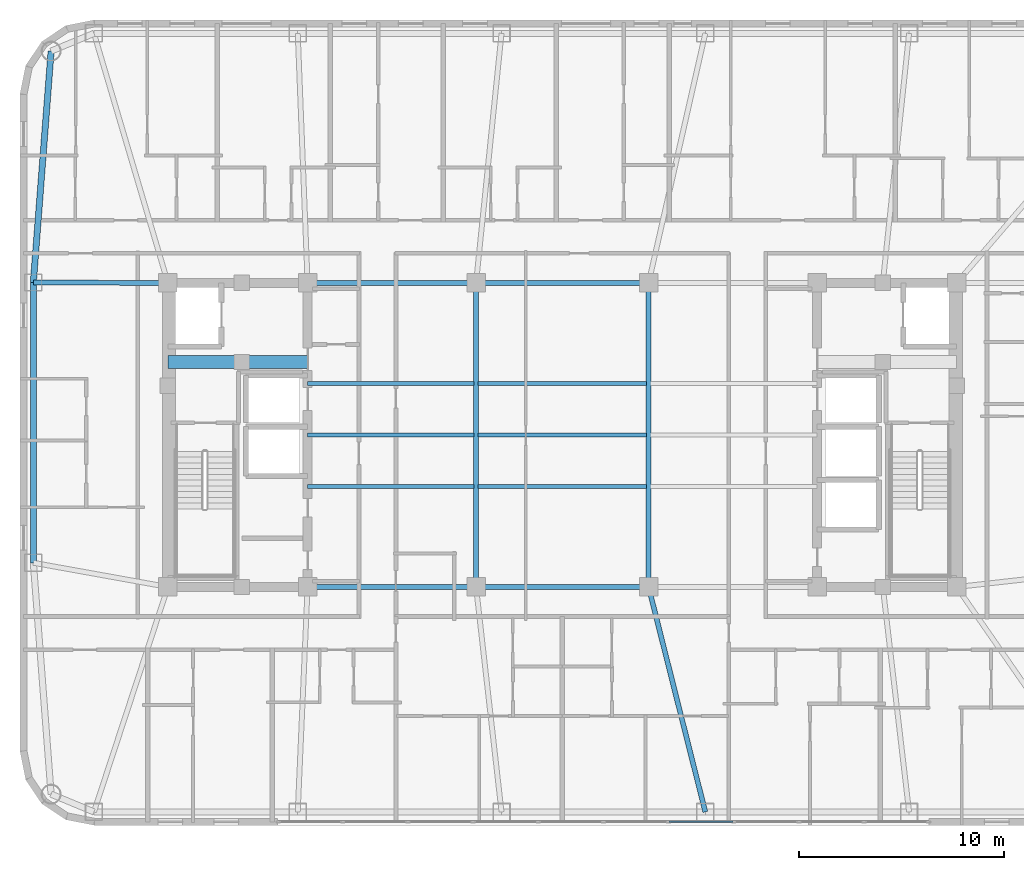
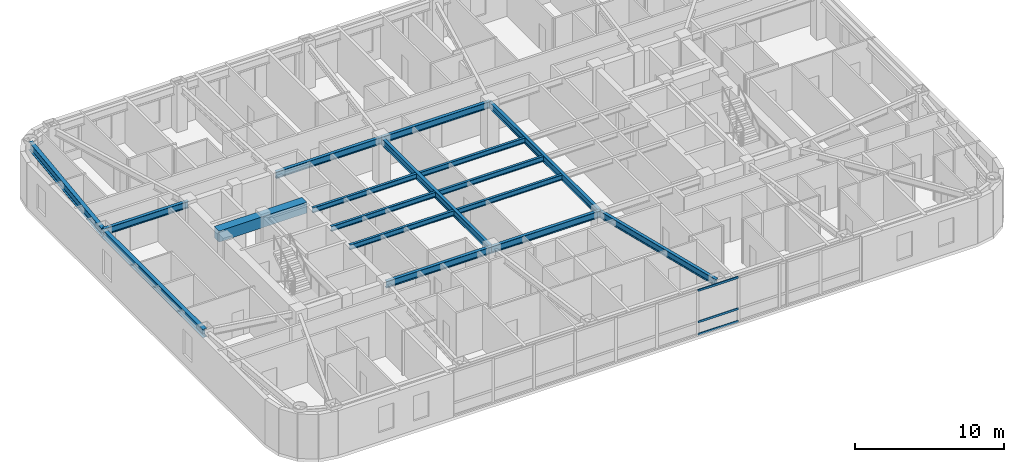
# One storey, part 5 of 17: 17 beams, 3 members, 1 element without a shape of its own.
"""IFC4 building model written with IfcOpenShell, lengths in metres."""

from ifc_helpers import new_model, si_unit, direction, frame, origin, origin_2d, place, context, subcontext, project, spatial, rectangle, hollow_rectangle, i_section, extrude, material, layer, layer_set, material_profile, profile_set, type_object, element, aggregate, save


model = new_model("IFC4")

# Units and contexts
model_context = context("Model", 3, precision=1e-05, world=origin(), true_north=direction((0.0, 1.0)))
body_context = subcontext(model_context, "Body", "Model", "MODEL_VIEW")
ifc_project = project(units=[si_unit("LENGTHUNIT", "METRE"), si_unit("AREAUNIT", "SQUARE_METRE"), si_unit("VOLUMEUNIT", "CUBIC_METRE"), si_unit("PLANEANGLEUNIT", "RADIAN"), si_unit("MASSUNIT", "GRAM", prefix="KILO")], contexts=[model_context])

# Site, building, storey
site_placement = place(None, origin())
site = spatial("IfcSite", under=ifc_project, at=site_placement, CompositionType="ELEMENT")
building_placement = place(site_placement, origin())
building = spatial("IfcBuilding", under=site, at=building_placement, Name="Voryun Gate Residences", CompositionType="ELEMENT")
storey_placement = place(building_placement, frame((0.0, 0.0, 204.10009765625)))
storey = spatial("IfcBuildingStorey", under=building, at=storey_placement, Name="L50", CompositionType="ELEMENT", Elevation=204.10009765625)

# Beams
ifc_material_1 = material(Name="Concrete C60/75", Category="concrete")
ifc_material_profile_1 = material_profile(ifc_material_1, rectangle(XDim=0.64990234375, YDim=0.89990234375, at=origin_2d()), Name="RC-650x900")
ifc_profile_set_1 = profile_set([ifc_material_profile_1], Name="Concrete C60/75")
beam_type_1 = type_object("IfcBeamType", Name="BM_COUP_RC900", PredefinedType="LINTEL", material=ifc_profile_set_1)
beam_1_placement = place(storey_placement, frame((-19.199951171875, 3.550048828125, 3.199951171875), z_axis=(1.0, 0.0, 0.0), x_axis=(0.0, 1.0, 0.0)))
element("IfcBeam", 1, at=beam_1_placement, inside=storey, type_object=beam_type_1, Name="BM-L50-WC1", PredefinedType="LINTEL", context=body_context, shape_type="SweptSolid", body=[
    extrude(rectangle(XDim=0.64990234375, YDim=0.89990234375, at=origin_2d()), origin(), (0.0, 0.0, 1.0), 6.800048828125),
])
ifc_material_2 = material(Name="Steel SM355", Category="steel")
ifc_material_profile_2 = material_profile(ifc_material_2, i_section(OverallWidth=0.300048828125, OverallDepth=0.679931640625, WebThickness=0.013916015625, FlangeThickness=0.02490234375, FilletRadius=0.01806640625, at=origin_2d()), Name="H-680x300x14x25")
ifc_profile_set_2 = profile_set([ifc_material_profile_2], Name="Steel SM355")
beam_type_2 = type_object("IfcBeamType", Name="BM_EXO_SPANDREL_M", PredefinedType="SPANDREL", material=ifc_profile_set_2)
beam_2_placement = place(storey_placement, frame((-24.885986328125, 18.68603515625, 3.309814453125), z_axis=(-0.076481657417, -0.997070988485, 0.0), x_axis=(0.997070988485, -0.076481657417, 0.0)))
element("IfcBeam", 2, at=beam_2_placement, inside=storey, type_object=beam_type_2, Name="BM-L50-SPAND-17", PredefinedType="SPANDREL", context=body_context, shape_type="SweptSolid", body=[
    extrude(i_section(OverallWidth=0.300048828125, OverallDepth=0.679931640625, WebThickness=0.013916015625, FlangeThickness=0.02490234375, FilletRadius=0.01806640625, at=origin_2d()), origin(), (0.0, 0.0, 1.0), 11.297119140625),
])
beam_3_placement = place(storey_placement, frame((-25.75, 7.422119140625, 3.309814453125), z_axis=(0.0, -1.0, 0.0), x_axis=(1.0, 0.0, 0.0)))
element("IfcBeam", 3, at=beam_3_placement, inside=storey, type_object=beam_type_2, Name="BM-L50-SPAND-18", PredefinedType="SPANDREL", context=body_context, shape_type="SweptSolid", body=[
    extrude(i_section(OverallWidth=0.300048828125, OverallDepth=0.679931640625, WebThickness=0.013916015625, FlangeThickness=0.02490234375, FilletRadius=0.01806640625, at=origin_2d()), origin(), (0.0, 0.0, 1.0), 13.64404296875),
])
ifc_material_3 = material(Name="Steel SM355", Category="steel")
ifc_material_profile_3 = material_profile(ifc_material_3, i_section(OverallWidth=0.239990234375, OverallDepth=0.550048828125, WebThickness=0.011962890625, FlangeThickness=0.02001953125, FilletRadius=0.01806640625, at=origin_2d()), Name="H-550x240x12x20")
ifc_profile_set_3 = profile_set([ifc_material_profile_3], Name="Steel SM355")
beam_type_3 = type_object("IfcBeamType", Name="BM_GIRD_550", PredefinedType="USERDEFINED", material=ifc_profile_set_3)
beam_4_placement = place(storey_placement, frame((-12.39990234375, -7.39990234375, 3.375), z_axis=(1.0, 0.0, 0.0), x_axis=(0.0, 1.0, 0.0)))
element("IfcBeam", 4, at=beam_4_placement, inside=storey, type_object=beam_type_3, Name="BM-L50-SPG1-S", ObjectType="GIRDER", PredefinedType="USERDEFINED", context=body_context, shape_type="SweptSolid", body=[
    extrude(i_section(OverallWidth=0.239990234375, OverallDepth=0.550048828125, WebThickness=0.011962890625, FlangeThickness=0.02001953125, FilletRadius=0.01806640625, at=origin_2d()), origin(), (0.0, 0.0, 1.0), 8.199951171875),
])
beam_5_placement = place(storey_placement, frame((-4.199951171875, -7.39990234375, 3.375), z_axis=(1.0, 0.0, 0.0), x_axis=(0.0, 1.0, 0.0)))
element("IfcBeam", 5, at=beam_5_placement, inside=storey, type_object=beam_type_3, Name="BM-L50-SPG2-S", ObjectType="GIRDER", PredefinedType="USERDEFINED", context=body_context, shape_type="SweptSolid", body=[
    extrude(i_section(OverallWidth=0.239990234375, OverallDepth=0.550048828125, WebThickness=0.011962890625, FlangeThickness=0.02001953125, FilletRadius=0.01806640625, at=origin_2d()), origin(), (0.0, 0.0, 1.0), 8.39990234375),
])
beam_6_placement = place(storey_placement, frame((-12.39990234375, 7.39990234375, 3.375), z_axis=(1.0, 0.0, 0.0), x_axis=(0.0, 1.0, 0.0)))
element("IfcBeam", 6, at=beam_6_placement, inside=storey, type_object=beam_type_3, Name="BM-L50-SPG1-N", ObjectType="GIRDER", PredefinedType="USERDEFINED", context=body_context, shape_type="SweptSolid", body=[
    extrude(i_section(OverallWidth=0.239990234375, OverallDepth=0.550048828125, WebThickness=0.011962890625, FlangeThickness=0.02001953125, FilletRadius=0.01806640625, at=origin_2d()), origin(), (0.0, 0.0, 1.0), 8.199951171875),
])
beam_7_placement = place(storey_placement, frame((-4.199951171875, 7.39990234375, 3.375), z_axis=(1.0, 0.0, 0.0), x_axis=(0.0, 1.0, 0.0)))
element("IfcBeam", 7, at=beam_7_placement, inside=storey, type_object=beam_type_3, Name="BM-L50-SPG2-N", ObjectType="GIRDER", PredefinedType="USERDEFINED", context=body_context, shape_type="SweptSolid", body=[
    extrude(i_section(OverallWidth=0.239990234375, OverallDepth=0.550048828125, WebThickness=0.011962890625, FlangeThickness=0.02001953125, FilletRadius=0.01806640625, at=origin_2d()), origin(), (0.0, 0.0, 1.0), 8.39990234375),
])
for number, where, z_axis, x_axis, name in (
    (8, (-4.199951171875, -7.39990234375, 3.375), (0.0, 1.0, 0.0), (-1.0, 0.0, 0.0), "BM-L50-SPX-W"),
    (9, (4.199951171875, -7.39990234375, 3.375), (0.0, 1.0, 0.0), (-1.0, 0.0, 0.0), "BM-L50-SPX-E"),
):
    element("IfcBeam", number, at=place(storey_placement, frame(where, z_axis=z_axis, x_axis=x_axis)), inside=storey, type_object=beam_type_3, Name=name, ObjectType="GIRDER", PredefinedType="USERDEFINED", context=body_context, shape_type="SweptSolid", body=[
        extrude(i_section(OverallWidth=0.239990234375, OverallDepth=0.550048828125, WebThickness=0.011962890625, FlangeThickness=0.02001953125, FilletRadius=0.01806640625, at=origin_2d()), origin(), (0.0, 0.0, 1.0), 14.7998046875),
    ])
beam_8_placement = place(storey_placement, frame((4.199951171875, -7.39990234375, 3.375), z_axis=(0.24440715799, -0.969672697936, 0.0), x_axis=(0.969672697936, 0.24440715799, 0.0)))
element("IfcBeam", 10, at=beam_8_placement, inside=storey, type_object=beam_type_3, Name="BM-L50-RAD-S4", ObjectType="GIRDER", PredefinedType="USERDEFINED", context=body_context, shape_type="SweptSolid", body=[
    extrude(i_section(OverallWidth=0.239990234375, OverallDepth=0.550048828125, WebThickness=0.011962890625, FlangeThickness=0.02001953125, FilletRadius=0.01806640625, at=origin_2d()), origin(), (0.0, 0.0, 1.0), 11.292724609375),
])
beam_9_placement = place(storey_placement, frame((-19.199951171875, 7.39990234375, 3.375), z_axis=(-0.999994247719, 0.003391832589, 0.0), x_axis=(-0.003391832589, -0.999994247719, 0.0)))
element("IfcBeam", 11, at=beam_9_placement, inside=storey, type_object=beam_type_3, Name="BM-L50-RAD-W1", ObjectType="GIRDER", PredefinedType="USERDEFINED", context=body_context, shape_type="SweptSolid", body=[
    extrude(i_section(OverallWidth=0.239990234375, OverallDepth=0.550048828125, WebThickness=0.011962890625, FlangeThickness=0.02001953125, FilletRadius=0.01806640625, at=origin_2d()), origin(), (0.0, 0.0, 1.0), 6.550048828125),
])
ifc_material_4 = material(Name="Steel SM355", Category="steel")
ifc_material_profile_4 = material_profile(ifc_material_4, i_section(OverallWidth=0.18994140625, OverallDepth=0.419921875, WebThickness=0.009033203125, FlangeThickness=0.01611328125, FilletRadius=0.01806640625, at=origin_2d()), Name="H-420x190x9x16")
ifc_profile_set_4 = profile_set([ifc_material_profile_4], Name="Steel SM355")
beam_type_4 = type_object("IfcBeamType", Name="BM_SEC_420", PredefinedType="BEAM", material=ifc_profile_set_4)
beam_10_placement = place(storey_placement, frame((-12.39990234375, -2.5, 3.43994140625), z_axis=(1.0, 0.0, 0.0), x_axis=(0.0, 1.0, 0.0)))
element("IfcBeam", 12, at=beam_10_placement, inside=storey, type_object=beam_type_4, Name="BM-L50-SEC-CS1", PredefinedType="BEAM", context=body_context, shape_type="SweptSolid", body=[
    extrude(i_section(OverallWidth=0.18994140625, OverallDepth=0.419921875, WebThickness=0.009033203125, FlangeThickness=0.01611328125, FilletRadius=0.01806640625, at=origin_2d()), origin(), (0.0, 0.0, 1.0), 8.099853515625),
])
beam_11_placement = place(storey_placement, frame((-4.10009765625, -2.5, 3.43994140625), z_axis=(1.0, 0.0, 0.0), x_axis=(0.0, 1.0, 0.0)))
element("IfcBeam", 13, at=beam_11_placement, inside=storey, type_object=beam_type_4, Name="BM-L50-SEC-CS2", PredefinedType="BEAM", context=body_context, shape_type="SweptSolid", body=[
    extrude(i_section(OverallWidth=0.18994140625, OverallDepth=0.419921875, WebThickness=0.009033203125, FlangeThickness=0.01611328125, FilletRadius=0.01806640625, at=origin_2d()), origin(), (0.0, 0.0, 1.0), 8.2001953125),
])
beam_12_placement = place(storey_placement, frame((-12.39990234375, 0.0, 3.43994140625), z_axis=(1.0, 0.0, 0.0), x_axis=(0.0, 1.0, 0.0)))
element("IfcBeam", 14, at=beam_12_placement, inside=storey, type_object=beam_type_4, Name="BM-L50-SEC-CM1", PredefinedType="BEAM", context=body_context, shape_type="SweptSolid", body=[
    extrude(i_section(OverallWidth=0.18994140625, OverallDepth=0.419921875, WebThickness=0.009033203125, FlangeThickness=0.01611328125, FilletRadius=0.01806640625, at=origin_2d()), origin(), (0.0, 0.0, 1.0), 8.099853515625),
])
beam_13_placement = place(storey_placement, frame((-4.10009765625, 0.0, 3.43994140625), z_axis=(1.0, 0.0, 0.0), x_axis=(0.0, 1.0, 0.0)))
element("IfcBeam", 15, at=beam_13_placement, inside=storey, type_object=beam_type_4, Name="BM-L50-SEC-CM2", PredefinedType="BEAM", context=body_context, shape_type="SweptSolid", body=[
    extrude(i_section(OverallWidth=0.18994140625, OverallDepth=0.419921875, WebThickness=0.009033203125, FlangeThickness=0.01611328125, FilletRadius=0.01806640625, at=origin_2d()), origin(), (0.0, 0.0, 1.0), 8.2001953125),
])
beam_14_placement = place(storey_placement, frame((-12.39990234375, 2.5, 3.43994140625), z_axis=(1.0, 0.0, 0.0), x_axis=(0.0, 1.0, 0.0)))
element("IfcBeam", 16, at=beam_14_placement, inside=storey, type_object=beam_type_4, Name="BM-L50-SEC-CN1", PredefinedType="BEAM", context=body_context, shape_type="SweptSolid", body=[
    extrude(i_section(OverallWidth=0.18994140625, OverallDepth=0.419921875, WebThickness=0.009033203125, FlangeThickness=0.01611328125, FilletRadius=0.01806640625, at=origin_2d()), origin(), (0.0, 0.0, 1.0), 8.099853515625),
])
beam_15_placement = place(storey_placement, frame((-4.10009765625, 2.5, 3.43994140625), z_axis=(1.0, 0.0, 0.0), x_axis=(0.0, 1.0, 0.0)))
element("IfcBeam", 17, at=beam_15_placement, inside=storey, type_object=beam_type_4, Name="BM-L50-SEC-CN2", PredefinedType="BEAM", context=body_context, shape_type="SweptSolid", body=[
    extrude(i_section(OverallWidth=0.18994140625, OverallDepth=0.419921875, WebThickness=0.009033203125, FlangeThickness=0.01611328125, FilletRadius=0.01806640625, at=origin_2d()), origin(), (0.0, 0.0, 1.0), 8.2001953125),
])

# Curtain wall, members
ifc_material_5 = material(Name="Anodised aluminium", Category="aluminium")
ifc_layer = layer(ifc_material_5, 0.2099609375, Name="CW_SYS_SKYGARDEN_DARK_GLASS")
ifc_layer_set = layer_set([ifc_layer], Name="Anodised aluminium")
curtain_wall_type = type_object("IfcCurtainWallType", Name="CW_SYS_SKYGARDEN_DARK_GLASS", PredefinedType="NOTDEFINED", material=ifc_layer_set)
curtain_wall_placement = place(storey_placement, origin())
curtain_wall = element("IfcCurtainWall", 18, at=curtain_wall_placement, inside=storey, type_object=curtain_wall_type, Name="Curtain wall CW5-L50-SG-01", PredefinedType="NOTDEFINED")
ifc_material_6 = material(Name="Anodised aluminium", Category="aluminium")
ifc_material_profile_5 = material_profile(ifc_material_6, hollow_rectangle(XDim=0.074951171875, YDim=0.169921875, WallThickness=0.0048828125, at=origin_2d()), Name="ALU-TRAN-170x75x5")
ifc_profile_set_5 = profile_set([ifc_material_profile_5], Name="Anodised aluminium")
member_type = type_object("IfcMemberType", Name="CW_TRAN_SKY", PredefinedType="USERDEFINED", material=ifc_profile_set_5)
member_1_placement = place(storey_placement, frame((8.314453125, -18.830078125, 0.02978515625), z_axis=(-1.0, 0.0, 0.0), x_axis=(0.0, -1.0, 0.0)))
member_1 = element("IfcMember", 19, at=member_1_placement, type_object=member_type, Name="CW5 transom 4.1", ObjectType="TRANSOM", PredefinedType="USERDEFINED", context=body_context, shape_type="SweptSolid", body=[
    extrude(hollow_rectangle(XDim=0.074951171875, YDim=0.169921875, WallThickness=0.0048828125, at=origin_2d()), origin(), (0.0, 0.0, 1.0), 3.1123046875),
])
member_2_placement = place(storey_placement, frame((8.314453125, -18.830078125, 1.0498046875), z_axis=(-1.0, 0.0, 0.0), x_axis=(0.0, -1.0, 0.0)))
member_2 = element("IfcMember", 20, at=member_2_placement, type_object=member_type, Name="CW5 transom 4.2", ObjectType="TRANSOM", PredefinedType="USERDEFINED", context=body_context, shape_type="SweptSolid", body=[
    extrude(hollow_rectangle(XDim=0.074951171875, YDim=0.169921875, WallThickness=0.0048828125, at=origin_2d()), origin(), (0.0, 0.0, 1.0), 3.1123046875),
])
member_3_placement = place(storey_placement, frame((8.314453125, -18.830078125, 3.619873046875), z_axis=(-1.0, 0.0, 0.0), x_axis=(0.0, -1.0, 0.0)))
member_3 = element("IfcMember", 21, at=member_3_placement, type_object=member_type, Name="CW5 transom 4.3", ObjectType="TRANSOM", PredefinedType="USERDEFINED", context=body_context, shape_type="SweptSolid", body=[
    extrude(hollow_rectangle(XDim=0.074951171875, YDim=0.169921875, WallThickness=0.0048828125, at=origin_2d()), origin(), (0.0, 0.0, 1.0), 3.1123046875),
])
aggregate(curtain_wall, [member_1, member_2, member_3])

save(model, "model.ifc")
